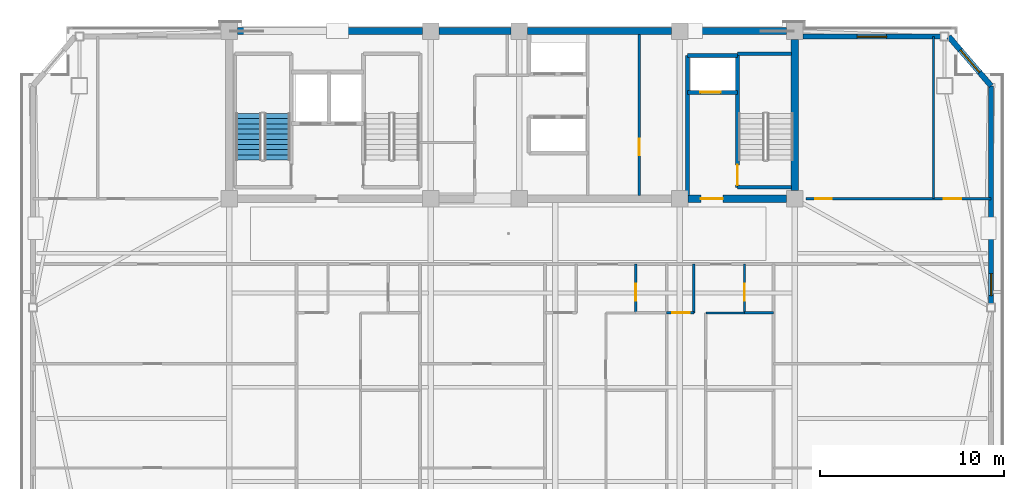
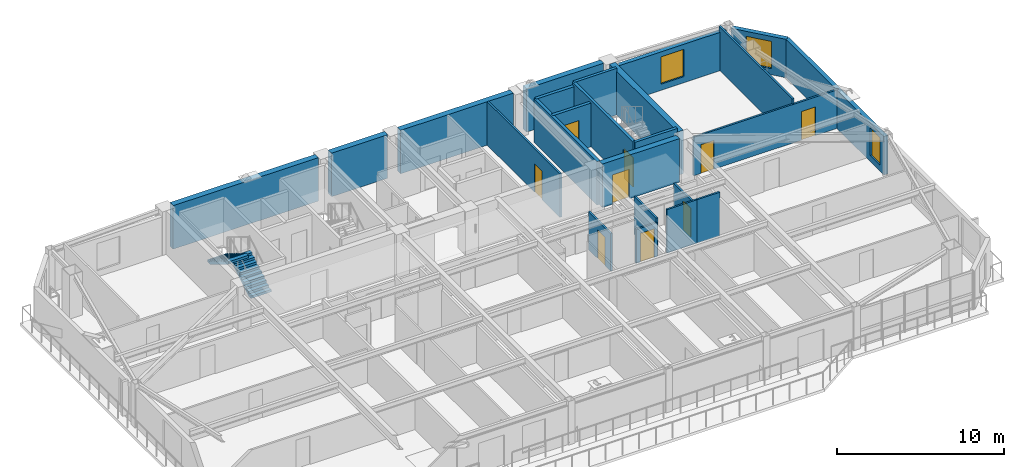
# One storey, part 11 of 17: 24 walls, 9 doors, 3 windows, 2 stair flights, 12 openings, 1 element without a shape of its own.
"""IFC4 building model written with IfcOpenShell, lengths in metres."""

from ifc_helpers import new_model, si_unit, direction, frame, frame_2d, origin, place, context, subcontext, project, spatial, polyline, rectangle, outline, extrude, source, transform, mapped, material, layer, layer_set, type_object, element, fill, aggregate, save


model = new_model("IFC4")

# Units and contexts
model_context = context("Model", 3, precision=1e-05, world=origin(), true_north=direction((0.0, 1.0)))
body_context = subcontext(model_context, "Body", "Model", "MODEL_VIEW")
ifc_project = project(units=[si_unit("LENGTHUNIT", "METRE"), si_unit("AREAUNIT", "SQUARE_METRE"), si_unit("VOLUMEUNIT", "CUBIC_METRE"), si_unit("PLANEANGLEUNIT", "RADIAN"), si_unit("MASSUNIT", "GRAM", prefix="KILO")], contexts=[model_context])

# Site, building, storey
site_placement = place(None, origin())
site = spatial("IfcSite", under=ifc_project, at=site_placement, CompositionType="ELEMENT")
building_placement = place(site_placement, origin())
building = spatial("IfcBuilding", under=site, at=building_placement, Name="Giltprow Tower", CompositionType="ELEMENT")
storey_placement = place(building_placement, frame((0.0, 0.0, 268.89990234375)))
storey = spatial("IfcBuildingStorey", under=building, at=storey_placement, Name="L69", CompositionType="ELEMENT", Elevation=268.89990234375)

# Wall, opening, window
ifc_material_1 = material(Name="Precast concrete C40", Category="concrete")
ifc_layer_1 = layer(ifc_material_1, 0.300048828125, Name="Precast concrete C40")
ifc_layer_set_1 = layer_set([ifc_layer_1], Name="Precast concrete C40")
wall_type_1 = type_object("IfcWallType", Name="EW-NOTCH-CHAMFER-300", PredefinedType="SOLIDWALL", material=ifc_layer_set_1)
wall_1_placement = place(storey_placement, frame((61.20703125, 43.576904296875, 0.0), z_axis=(0.0, 0.0, 1.0), x_axis=(-0.651914250567, 0.758292694089, 0.0)))
wall_1 = element("IfcWall", 1, at=wall_1_placement, inside=storey, type_object=wall_type_1, Name="L69 Corner Notch Wall NE", PredefinedType="SOLIDWALL", context=body_context, shape_type="SweptSolid", body=[
    extrude(rectangle(XDim=3.525146484375, YDim=0.300048828125, at=frame_2d((1.7626953125, 0.0))), origin(), (0.0, 0.0, 1.0), 2.815185546875),
])
opening_1_placement = place(wall_1_placement, frame((0.962890625, 0.0, 0.449951171875)))
opening_1 = element("IfcOpeningElement", 2, at=opening_1_placement, cuts=wall_1, Name="Opening WN17", PredefinedType="OPENING", context=body_context, shape_type="SweptSolid", body=[
    extrude(rectangle(XDim=1.60009765625, YDim=2.0, at=frame_2d((0.800048828125, 1.0))), frame((0.0, 0.159912109375, 0.0), z_axis=(0.0, -1.0, 0.0), x_axis=(1.0, 0.0, 0.0)), (0.0, 0.0, 1.0), 0.320068359375),
])
ifc_material_2 = material(Name="Insulated glass", Category="glass")
window_type_1 = type_object("IfcWindowType", Name="WN-COR-1600x2000", PartitioningType="SINGLE_PANEL", PredefinedType="WINDOW", material=ifc_material_2)
shared_shape_1 = source(origin(), body_context, "Body", "SweptSolid", [
    extrude(rectangle(XDim=1.60009765625, YDim=2.0, at=frame_2d((0.800048828125, 1.0))), frame((0.0, 0.030029296875, 0.0), z_axis=(0.0, -1.0, 0.0), x_axis=(1.0, 0.0, 0.0)), (0.0, 0.0, 1.0), 0.06005859375),
])
window_1_placement = place(opening_1_placement, origin())
window_1 = element("IfcWindow", 3, at=window_1_placement, inside=storey, type_object=window_type_1, Name="L69 Corner Notch Window NE", OverallHeight=2.0, OverallWidth=1.60009765625, PartitioningType="SINGLE_PANEL", PredefinedType="WINDOW", context=body_context, shape_type="MappedRepresentation", body=[
    mapped(shared_shape_1, transform((0.0, 0.0, 0.0), x_axis=(1.0, 0.0, 0.0), y_axis=(0.0, 1.0, 0.0), z_axis=(0.0, 0.0, 1.0), scale=1.0)),
])
fill(opening_1, window_1)

ifc_layer_2 = layer(ifc_material_1, 0.280029296875, Name="Precast concrete C40")
ifc_layer_set_2 = layer_set([ifc_layer_2], Name="Precast concrete C40")
wall_type_2 = type_object("IfcWallType", Name="EW-TOW-BRONZE-280", PredefinedType="SOLIDWALL", material=ifc_layer_set_2)
wall_2_placement = place(storey_placement, frame((61.20703125, 31.762939453125, 0.0), z_axis=(0.0, 0.0, 1.0), x_axis=(0.0, 1.0, 0.0)))
wall_2 = element("IfcWall", 4, at=wall_2_placement, inside=storey, type_object=wall_type_2, Name="L69 E Wing Masonry Wall 2", PredefinedType="SOLIDWALL", context=body_context, shape_type="SweptSolid", body=[
    extrude(rectangle(XDim=11.81396484375, YDim=0.280029296875, at=frame_2d((5.906982421875, 0.0))), origin(), (0.0, 0.0, 1.0), 2.815185546875),
])
opening_2_placement = place(wall_2_placement, frame((0.426025390625, 0.0, 0.449951171875)))
opening_2 = element("IfcOpeningElement", 5, at=opening_2_placement, cuts=wall_2, Name="Opening WN11", PredefinedType="OPENING", context=body_context, shape_type="SweptSolid", body=[
    extrude(rectangle(XDim=1.199951171875, YDim=2.0, at=frame_2d((0.60009765625, 1.0))), frame((0.0, 0.14990234375, 0.0), z_axis=(0.0, -1.0, 0.0), x_axis=(1.0, 0.0, 0.0)), (0.0, 0.0, 1.0), 0.300048828125),
])
window_type_2 = type_object("IfcWindowType", Name="WN-LANCET-1200x2000", PartitioningType="SINGLE_PANEL", PredefinedType="WINDOW", material=ifc_material_2)
shared_shape_2 = source(origin(), body_context, "Body", "SweptSolid", [
    extrude(rectangle(XDim=1.199951171875, YDim=2.0, at=frame_2d((0.60009765625, 1.0))), frame((0.0, 0.030029296875, 0.0), z_axis=(0.0, -1.0, 0.0), x_axis=(1.0, 0.0, 0.0)), (0.0, 0.0, 1.0), 0.06005859375),
])
window_2_placement = place(opening_2_placement, origin())
window_2 = element("IfcWindow", 6, at=window_2_placement, inside=storey, type_object=window_type_2, Name="L69 E Wing Window 2-1", OverallHeight=2.0, OverallWidth=1.199951171875, PartitioningType="SINGLE_PANEL", PredefinedType="WINDOW", context=body_context, shape_type="MappedRepresentation", body=[
    mapped(shared_shape_2, transform((0.0, 0.0, 0.0), x_axis=(1.0, 0.0, 0.0), y_axis=(0.0, 1.0, 0.0), z_axis=(0.0, 0.0, 1.0), scale=1.0)),
])
fill(opening_2, window_2)

wall_3_placement = place(storey_placement, frame((51.0, 46.25, 0.0), z_axis=(0.0, 0.0, 1.0), x_axis=(1.0, 0.0, 0.0)))
wall_3 = element("IfcWall", 7, at=wall_3_placement, inside=storey, type_object=wall_type_2, Name="L69 North-East Wing Wall", PredefinedType="SOLIDWALL", context=body_context, shape_type="SweptSolid", body=[
    extrude(rectangle(XDim=7.458984375, YDim=0.280029296875, at=frame_2d((3.7294921875, 0.0))), origin(), (0.0, 0.0, 1.0), 2.815185546875),
])
opening_3_placement = place(wall_3_placement, frame((2.929931640625, 0.0, 0.449951171875)))
opening_3 = element("IfcOpeningElement", 8, at=opening_3_placement, cuts=wall_3, Name="Opening WN17", PredefinedType="OPENING", context=body_context, shape_type="SweptSolid", body=[
    extrude(rectangle(XDim=1.60009765625, YDim=2.0, at=frame_2d((0.800048828125, 1.0))), frame((0.0, 0.14990234375, 0.0), z_axis=(0.0, -1.0, 0.0), x_axis=(1.0, 0.0, 0.0)), (0.0, 0.0, 1.0), 0.300048828125),
])
window_3_placement = place(opening_3_placement, origin())
window_3 = element("IfcWindow", 9, at=window_3_placement, inside=storey, type_object=window_type_1, Name="L69 North-East Window", OverallHeight=2.0, OverallWidth=1.60009765625, PartitioningType="SINGLE_PANEL", PredefinedType="WINDOW", context=body_context, shape_type="MappedRepresentation", body=[
    mapped(shared_shape_1, transform((0.0, 0.0, 0.0), x_axis=(1.0, 0.0, 0.0), y_axis=(0.0, 1.0, 0.0), z_axis=(0.0, 0.0, 1.0), scale=1.0)),
])
fill(opening_3, window_3)

# Wall
ifc_material_3 = material(Name="Gypsum stud partition", Category="gypsum")
ifc_layer_3 = layer(ifc_material_3, 0.1201171875, Name="Gypsum stud partition")
ifc_layer_set_3 = layer_set([ifc_layer_3], Name="Gypsum stud partition")
wall_type_3 = type_object("IfcWallType", Name="IW-ROOM-120", PredefinedType="PARTITIONING", material=ifc_layer_set_3)
wall_4_placement = place(storey_placement, frame((45.719970703125, 31.25, 0.0), z_axis=(0.0, 0.0, 1.0), x_axis=(1.0, 0.0, 0.0)))
element("IfcWall", 10, at=wall_4_placement, inside=storey, type_object=wall_type_3, Name="L69 Unit 3 Bedroom North Wall", PredefinedType="PARTITIONING", context=body_context, shape_type="SweptSolid", body=[
    extrude(rectangle(XDim=2.10009765625, YDim=0.1201171875, at=frame_2d((1.050048828125, 0.0))), origin(), (0.0, 0.0, 1.0), 3.18505859375),
])

# Wall, opening, door
ifc_material_4 = material(Name="Concrete C40", Category="concrete")
ifc_layer_4 = layer(ifc_material_4, 0.219970703125, Name="Concrete C40")
ifc_layer_set_4 = layer_set([ifc_layer_4], Name="Concrete C40")
wall_type_4 = type_object("IfcWallType", Name="IW-SHAFT-220", PredefinedType="SOLIDWALL", material=ifc_layer_set_4)
wall_5_placement = place(storey_placement, frame((44.719970703125, 43.219970703125, 0.0), z_axis=(0.0, 0.0, 1.0), x_axis=(1.0, 0.0, 0.0)))
wall_5 = element("IfcWall", 11, at=wall_5_placement, inside=storey, type_object=wall_type_4, Name="L69 FFL2 Front Shaft Wall", PredefinedType="SOLIDWALL", context=body_context, shape_type="SweptSolid", body=[
    extrude(rectangle(XDim=2.719970703125, YDim=0.219970703125, at=frame_2d((1.35986328125, 0.0))), origin(), (0.0, 0.0, 1.0), 3.18505859375),
])
opening_4_placement = place(wall_5_placement, frame((0.699951171875, 0.0, 0.0)))
opening_4 = element("IfcOpeningElement", 12, at=opening_4_placement, cuts=wall_5, Name="Opening LD-11", PredefinedType="OPENING", context=body_context, shape_type="SweptSolid", body=[
    extrude(rectangle(XDim=1.10009765625, YDim=2.199951171875, at=frame_2d((0.550048828125, 1.10009765625))), frame((0.0, 0.119873046875, 0.0), z_axis=(0.0, -1.0, 0.0), x_axis=(1.0, 0.0, 0.0)), (0.0, 0.0, 1.0), 0.239990234375),
])
ifc_material_5 = material(Name="Stainless steel", Category="steel")
door_type_1 = type_object("IfcDoorType", Name="DR-LIFT-LD1100", OperationType="SLIDING_TO_LEFT", PredefinedType="DOOR", material=ifc_material_5)
shared_shape_3 = source(origin(), body_context, "Body", "SweptSolid", [
    extrude(rectangle(XDim=1.10009765625, YDim=2.199951171875, at=frame_2d((0.550048828125, 1.10009765625))), frame((0.0, 0.02490234375, 0.0), z_axis=(0.0, -1.0, 0.0), x_axis=(1.0, 0.0, 0.0)), (0.0, 0.0, 1.0), 0.050048828125),
])
door_1_placement = place(opening_4_placement, origin())
door_1 = element("IfcDoor", 13, at=door_1_placement, inside=storey, type_object=door_type_1, Name="L69 FFL2 Landing Door", OperationType="SLIDING_TO_LEFT", OverallHeight=2.199951171875, OverallWidth=1.10009765625, PredefinedType="DOOR", context=body_context, shape_type="MappedRepresentation", body=[
    mapped(shared_shape_3, transform((0.0, 0.0, 0.0), x_axis=(1.0, 0.0, 0.0), y_axis=(0.0, 1.0, 0.0), z_axis=(0.0, 0.0, 1.0), scale=1.0)),
])
fill(opening_4, door_1)

# Walls
wall_6_placement = place(storey_placement, frame((44.719970703125, 45.219970703125, 0.0), z_axis=(0.0, 0.0, 1.0), x_axis=(1.0, 0.0, 0.0)))
element("IfcWall", 14, at=wall_6_placement, inside=storey, type_object=wall_type_4, Name="L69 FFL2 Back Shaft Wall", PredefinedType="SOLIDWALL", context=body_context, shape_type="SweptSolid", body=[
    extrude(rectangle(XDim=2.719970703125, YDim=0.219970703125, at=frame_2d((1.35986328125, 0.0))), origin(), (0.0, 0.0, 1.0), 3.18505859375),
])
wall_7_placement = place(storey_placement, frame((44.719970703125, 37.6298828125, 0.0), z_axis=(0.0, 0.0, 1.0), x_axis=(0.0, 1.0, 0.0)))
element("IfcWall", 15, at=wall_7_placement, inside=storey, type_object=wall_type_4, Name="L69 East Firefighting Lobby West Wall", PredefinedType="SOLIDWALL", context=body_context, shape_type="SweptSolid", body=[
    extrude(rectangle(XDim=7.590087890625, YDim=0.219970703125, at=frame_2d((3.794921875, 0.0))), origin(), (0.0, 0.0, 1.0), 3.18505859375),
])

# Wall, opening, door
ifc_layer_5 = layer(ifc_material_4, 0.199951171875, Name="Concrete C40")
ifc_layer_set_5 = layer_set([ifc_layer_5], Name="Concrete C40")
wall_type_5 = type_object("IfcWallType", Name="IW-STAIR-200", PredefinedType="SOLIDWALL", material=ifc_layer_set_5)
wall_8_placement = place(storey_placement, frame((47.43994140625, 38.070068359375, 0.0), z_axis=(0.0, 0.0, 1.0), x_axis=(0.0, 1.0, 0.0)))
wall_8 = element("IfcWall", 16, at=wall_8_placement, inside=storey, type_object=wall_type_5, Name="L69 Stair ST-3 West Bearing Wall", PredefinedType="SOLIDWALL", context=body_context, shape_type="SweptSolid", body=[
    extrude(rectangle(XDim=7.25, YDim=0.199951171875, at=frame_2d((3.625, 0.0))), origin(), (0.0, 0.0, 1.0), 3.400146484375),
])
opening_5_placement = place(wall_8_placement, frame((0.110107421875, 0.0, 0.0)))
opening_5 = element("IfcOpeningElement", 17, at=opening_5_placement, cuts=wall_8, Name="Opening ID33", PredefinedType="OPENING", context=body_context, shape_type="SweptSolid", body=[
    extrude(rectangle(XDim=1.10009765625, YDim=2.14990234375, at=frame_2d((0.550048828125, 1.074951171875))), frame((0.0, 0.10986328125, 0.0), z_axis=(0.0, -1.0, 0.0), x_axis=(1.0, 0.0, 0.0)), (0.0, 0.0, 1.0), 0.219970703125),
])
ifc_material_6 = material(Name="Steel fire leaf", Category="steel")
door_type_2 = type_object("IfcDoorType", Name="DR-STAIR-1100", OperationType="SINGLE_SWING_LEFT", PredefinedType="DOOR", material=ifc_material_6)
shared_shape_4 = source(origin(), body_context, "Body", "SweptSolid", [
    extrude(rectangle(XDim=1.10009765625, YDim=2.14990234375, at=frame_2d((0.550048828125, 1.074951171875))), frame((0.0, 0.02490234375, 0.0), z_axis=(0.0, -1.0, 0.0), x_axis=(1.0, 0.0, 0.0)), (0.0, 0.0, 1.0), 0.050048828125),
])
door_2_placement = place(opening_5_placement, origin())
door_2 = element("IfcDoor", 18, at=door_2_placement, inside=storey, type_object=door_type_2, Name="L69 Stair ST-3 Fire Door", OperationType="SINGLE_SWING_RIGHT", OverallHeight=2.14990234375, OverallWidth=1.10009765625, PredefinedType="DOOR", context=body_context, shape_type="MappedRepresentation", body=[
    mapped(shared_shape_4, transform((0.0, 0.0, 0.0), x_axis=(1.0, 0.0, 0.0), y_axis=(0.0, 1.0, 0.0), z_axis=(0.0, 0.0, 1.0), scale=1.0)),
])
fill(opening_5, door_2)

# Walls
for number, where, z_axis, x_axis, name in (
    (19, (47.43994140625, 45.320068359375, 0.0), (0.0, 0.0, 1.0), (1.0, 0.0, 0.0), "L69 Stair ST-3 North Bearing Wall"),
    (20, (47.43994140625, 38.070068359375, 0.0), (0.0, 0.0, 1.0), (1.0, 0.0, 0.0), "L69 Stair ST-3 South Bearing Wall"),
):
    element("IfcWall", number, at=place(storey_placement, frame(where, z_axis=z_axis, x_axis=x_axis)), inside=storey, type_object=wall_type_5, Name=name, PredefinedType="SOLIDWALL", context=body_context, shape_type="SweptSolid", body=[
        extrude(rectangle(XDim=2.93017578125, YDim=0.199951171875, at=frame_2d((1.465087890625, 0.0))), origin(), (0.0, 0.0, 1.0), 3.400146484375),
    ])

# Wall, opening, door
ifc_material_7 = material(Name="Concrete C30", Category="concrete")
ifc_layer_6 = layer(ifc_material_7, 0.1298828125, Name="Concrete C30")
ifc_layer_set_6 = layer_set([ifc_layer_6], Name="Concrete C30")
wall_type_6 = type_object("IfcWallType", Name="IW-WET-130", PredefinedType="PARTITIONING", material=ifc_layer_set_6)
wall_9_placement = place(storey_placement, frame((42.10009765625, 37.6298828125, 0.0), z_axis=(0.0, 0.0, 1.0), x_axis=(0.0, 1.0, 0.0)))
wall_9 = element("IfcWall", 21, at=wall_9_placement, inside=storey, type_object=wall_type_6, Name="L69 East Core Vertical Divider", PredefinedType="PARTITIONING", context=body_context, shape_type="SweptSolid", body=[
    extrude(rectangle(XDim=8.740234375, YDim=0.1298828125, at=frame_2d((4.3701171875, 0.0))), origin(), (0.0, 0.0, 1.0), 3.18505859375),
])
opening_6_placement = place(wall_9_placement, frame((2.169921875, 0.0, 0.0)))
opening_6 = element("IfcOpeningElement", 22, at=opening_6_placement, cuts=wall_9, Name="Opening ID35", PredefinedType="OPENING", context=body_context, shape_type="SweptSolid", body=[
    extrude(rectangle(XDim=0.89990234375, YDim=2.10009765625, at=frame_2d((0.449951171875, 1.050048828125))), frame((0.0, 0.074951171875, 0.0), z_axis=(0.0, -1.0, 0.0), x_axis=(1.0, 0.0, 0.0)), (0.0, 0.0, 1.0), 0.14990234375),
])
door_type_3 = type_object("IfcDoorType", Name="DR-SHAFT-900", OperationType="SINGLE_SWING_LEFT", PredefinedType="DOOR", material=ifc_material_6)
shared_shape_5 = source(origin(), body_context, "Body", "SweptSolid", [
    extrude(rectangle(XDim=0.89990234375, YDim=2.10009765625, at=frame_2d((0.449951171875, 1.050048828125))), frame((0.0, 0.02490234375, 0.0), z_axis=(0.0, -1.0, 0.0), x_axis=(1.0, 0.0, 0.0)), (0.0, 0.0, 1.0), 0.050048828125),
])
door_3_placement = place(opening_6_placement, origin())
door_3 = element("IfcDoor", 23, at=door_3_placement, inside=storey, type_object=door_type_3, Name="L69 Core Wine Store Inner Door", OperationType="SINGLE_SWING_RIGHT", OverallHeight=2.10009765625, OverallWidth=0.89990234375, PredefinedType="DOOR", context=body_context, shape_type="MappedRepresentation", body=[
    mapped(shared_shape_5, transform((0.0, 0.0, 0.0), x_axis=(1.0, 0.0, 0.0), y_axis=(0.0, 1.0, 0.0), z_axis=(0.0, 0.0, 1.0), scale=1.0)),
])
fill(opening_6, door_3)

wall_10_placement = place(storey_placement, frame((41.909912109375, 31.25, 0.0), z_axis=(0.0, 0.0, 1.0), x_axis=(0.0, 1.0, 0.0)))
wall_10 = element("IfcWall", 24, at=wall_10_placement, inside=storey, type_object=wall_type_6, Name="L69 Unit 2 Bathroom West Wall", PredefinedType="PARTITIONING", context=body_context, shape_type="SweptSolid", body=[
    extrude(rectangle(XDim=2.64990234375, YDim=0.1298828125, at=frame_2d((1.324951171875, 0.0))), origin(), (0.0, 0.0, 1.0), 2.77001953125),
])
opening_7_placement = place(wall_10_placement, frame((0.669921875, 0.0, 0.0)))
opening_7 = element("IfcOpeningElement", 25, at=opening_7_placement, cuts=wall_10, Name="Opening ID15", PredefinedType="OPENING", context=body_context, shape_type="SweptSolid", body=[
    extrude(rectangle(XDim=0.89990234375, YDim=2.10009765625, at=frame_2d((0.449951171875, 1.050048828125))), frame((0.0, 0.074951171875, 0.0), z_axis=(0.0, -1.0, 0.0), x_axis=(1.0, 0.0, 0.0)), (0.0, 0.0, 1.0), 0.14990234375),
])
ifc_material_8 = material(Name="Engineered timber", Category="wood")
door_type_4 = type_object("IfcDoorType", Name="DR-WC-900", OperationType="SINGLE_SWING_LEFT", PredefinedType="DOOR", material=ifc_material_8)
door_4_placement = place(opening_7_placement, origin())
door_4 = element("IfcDoor", 26, at=door_4_placement, inside=storey, type_object=door_type_4, Name="L69 Unit 2 Bathroom Door", OperationType="SINGLE_SWING_RIGHT", OverallHeight=2.10009765625, OverallWidth=0.89990234375, PredefinedType="DOOR", context=body_context, shape_type="MappedRepresentation", body=[
    mapped(shared_shape_5, transform((0.0, 0.0, 0.0), x_axis=(1.0, 0.0, 0.0), y_axis=(0.0, 1.0, 0.0), z_axis=(0.0, 0.0, 1.0), scale=1.0)),
])
fill(opening_7, door_4)

wall_11_placement = place(storey_placement, frame((43.60009765625, 31.25, 0.0), z_axis=(0.0, 0.0, 1.0), x_axis=(1.0, 0.0, 0.0)))
wall_11 = element("IfcWall", 27, at=wall_11_placement, inside=storey, type_object=wall_type_6, Name="L69 Unit 3 Kitchen South Wall", PredefinedType="PARTITIONING", context=body_context, shape_type="SweptSolid", body=[
    extrude(rectangle(XDim=1.469970703125, YDim=0.1298828125, at=frame_2d((0.73486328125, 0.0))), origin(), (0.0, 0.0, 1.0), 2.47021484375),
])
opening_8_placement = place(wall_11_placement, frame((0.300048828125, 0.0, 0.0)))
opening_8 = element("IfcOpeningElement", 28, at=opening_8_placement, cuts=wall_11, Name="Opening ID11", PredefinedType="OPENING", context=body_context, shape_type="SweptSolid", body=[
    extrude(rectangle(XDim=0.949951171875, YDim=2.10009765625, at=frame_2d((0.47509765625, 1.050048828125))), frame((0.0, 0.074951171875, 0.0), z_axis=(0.0, -1.0, 0.0), x_axis=(1.0, 0.0, 0.0)), (0.0, 0.0, 1.0), 0.14990234375),
])
door_type_5 = type_object("IfcDoorType", Name="DR-ROOM-950", OperationType="SINGLE_SWING_RIGHT", PredefinedType="DOOR", material=ifc_material_8)
shared_shape_6 = source(origin(), body_context, "Body", "SweptSolid", [
    extrude(rectangle(XDim=0.949951171875, YDim=2.10009765625, at=frame_2d((0.47509765625, 1.050048828125))), frame((0.0, 0.02490234375, 0.0), z_axis=(0.0, -1.0, 0.0), x_axis=(1.0, 0.0, 0.0)), (0.0, 0.0, 1.0), 0.050048828125),
])
door_5_placement = place(opening_8_placement, origin())
door_5 = element("IfcDoor", 29, at=door_5_placement, inside=storey, type_object=door_type_5, Name="L69 Unit 3 Kitchen Door", OperationType="SINGLE_SWING_RIGHT", OverallHeight=2.10009765625, OverallWidth=0.949951171875, PredefinedType="DOOR", context=body_context, shape_type="MappedRepresentation", body=[
    mapped(shared_shape_6, transform((0.0, 0.0, 0.0), x_axis=(1.0, 0.0, 0.0), y_axis=(0.0, 1.0, 0.0), z_axis=(0.0, 0.0, 1.0), scale=1.0)),
])
fill(opening_8, door_5)

# Walls
wall_12_placement = place(storey_placement, frame((45.070068359375, 31.25, 0.0), z_axis=(0.0, 0.0, 1.0), x_axis=(0.0, 1.0, 0.0)))
element("IfcWall", 30, at=wall_12_placement, inside=storey, type_object=wall_type_6, Name="L69 Unit 3 Kitchen East Wall", PredefinedType="PARTITIONING", context=body_context, shape_type="SweptSolid", body=[
    extrude(rectangle(XDim=2.64990234375, YDim=0.1298828125, at=frame_2d((1.324951171875, 0.0))), origin(), (0.0, 0.0, 1.0), 2.77001953125),
])
wall_13_placement = place(storey_placement, frame((47.820068359375, 31.25, 0.0), z_axis=(0.0, 0.0, 1.0), x_axis=(1.0, 0.0, 0.0)))
element("IfcWall", 31, at=wall_13_placement, inside=storey, type_object=wall_type_6, Name="L69 Unit 3 Bathroom South Wall", PredefinedType="PARTITIONING", context=body_context, shape_type="SweptSolid", body=[
    extrude(rectangle(XDim=1.579833984375, YDim=0.1298828125, at=frame_2d((0.7900390625, 0.0))), origin(), (0.0, 0.0, 1.0), 3.18505859375),
])

# Wall, opening, door
wall_14_placement = place(storey_placement, frame((47.820068359375, 31.25, 0.0), z_axis=(0.0, 0.0, 1.0), x_axis=(0.0, 1.0, 0.0)))
wall_14 = element("IfcWall", 32, at=wall_14_placement, inside=storey, type_object=wall_type_6, Name="L69 Unit 3 Bathroom West Wall", PredefinedType="PARTITIONING", context=body_context, shape_type="SweptSolid", body=[
    extrude(rectangle(XDim=2.64990234375, YDim=0.1298828125, at=frame_2d((1.324951171875, 0.0))), origin(), (0.0, 0.0, 1.0), 2.77001953125),
])
opening_9_placement = place(wall_14_placement, frame((0.669921875, 0.0, 0.0)))
opening_9 = element("IfcOpeningElement", 33, at=opening_9_placement, cuts=wall_14, Name="Opening ID15", PredefinedType="OPENING", context=body_context, shape_type="SweptSolid", body=[
    extrude(rectangle(XDim=0.89990234375, YDim=2.10009765625, at=frame_2d((0.449951171875, 1.050048828125))), frame((0.0, 0.074951171875, 0.0), z_axis=(0.0, -1.0, 0.0), x_axis=(1.0, 0.0, 0.0)), (0.0, 0.0, 1.0), 0.14990234375),
])
door_6_placement = place(opening_9_placement, origin())
door_6 = element("IfcDoor", 34, at=door_6_placement, inside=storey, type_object=door_type_4, Name="L69 Unit 3 Bathroom Door", OperationType="SINGLE_SWING_LEFT", OverallHeight=2.10009765625, OverallWidth=0.89990234375, PredefinedType="DOOR", context=body_context, shape_type="MappedRepresentation", body=[
    mapped(shared_shape_5, transform((0.0, 0.0, 0.0), x_axis=(1.0, 0.0, 0.0), y_axis=(0.0, 1.0, 0.0), z_axis=(0.0, 0.0, 1.0), scale=1.0)),
])
fill(opening_9, door_6)

# Wall, openings, doors
wall_15_placement = place(storey_placement, frame((51.14990234375, 37.449951171875, 0.0), z_axis=(0.0, 0.0, 1.0), x_axis=(1.0, 0.0, 0.0)))
wall_15 = element("IfcWall", 35, at=wall_15_placement, inside=storey, type_object=wall_type_6, Name="L69 NE Wing South Wall", PredefinedType="PARTITIONING", context=body_context, shape_type="SweptSolid", body=[
    extrude(rectangle(XDim=10.05712890625, YDim=0.1298828125, at=frame_2d((5.028564453125, 0.0))), origin(), (0.0, 0.0, 1.0), 2.820068359375),
])
opening_10_placement = place(wall_15_placement, frame((0.5, 0.0, 0.0)))
opening_10 = element("IfcOpeningElement", 36, at=opening_10_placement, cuts=wall_15, Name="Opening ID15", PredefinedType="OPENING", context=body_context, shape_type="SweptSolid", body=[
    extrude(rectangle(XDim=0.89990234375, YDim=2.10009765625, at=frame_2d((0.449951171875, 1.050048828125))), frame((0.0, 0.074951171875, 0.0), z_axis=(0.0, -1.0, 0.0), x_axis=(1.0, 0.0, 0.0)), (0.0, 0.0, 1.0), 0.14990234375),
])
opening_11_placement = place(wall_15_placement, frame((7.47998046875, 0.0, 0.0)))
opening_11 = element("IfcOpeningElement", 37, at=opening_11_placement, cuts=wall_15, Name="Opening ID11", PredefinedType="OPENING", context=body_context, shape_type="SweptSolid", body=[
    extrude(rectangle(XDim=0.949951171875, YDim=2.10009765625, at=frame_2d((0.47509765625, 1.050048828125))), frame((0.0, 0.074951171875, 0.0), z_axis=(0.0, -1.0, 0.0), x_axis=(1.0, 0.0, 0.0)), (0.0, 0.0, 1.0), 0.14990234375),
])
door_7_placement = place(opening_10_placement, origin())
door_7 = element("IfcDoor", 38, at=door_7_placement, inside=storey, type_object=door_type_4, Name="L69 East Wing Washroom Door", OperationType="SINGLE_SWING_RIGHT", OverallHeight=2.10009765625, OverallWidth=0.89990234375, PredefinedType="DOOR", context=body_context, shape_type="MappedRepresentation", body=[
    mapped(shared_shape_5, transform((0.0, 0.0, 0.0), x_axis=(1.0, 0.0, 0.0), y_axis=(0.0, 1.0, 0.0), z_axis=(0.0, 0.0, 1.0), scale=1.0)),
])
fill(opening_10, door_7)
door_8_placement = place(opening_11_placement, origin())
door_8 = element("IfcDoor", 39, at=door_8_placement, inside=storey, type_object=door_type_5, Name="L69 Residents Reading Lounge Door", OperationType="SINGLE_SWING_RIGHT", OverallHeight=2.10009765625, OverallWidth=0.949951171875, PredefinedType="DOOR", context=body_context, shape_type="MappedRepresentation", body=[
    mapped(shared_shape_6, transform((0.0, 0.0, 0.0), x_axis=(1.0, 0.0, 0.0), y_axis=(0.0, 1.0, 0.0), z_axis=(0.0, 0.0, 1.0), scale=1.0)),
])
fill(opening_11, door_8)

# Walls
wall_16_placement = place(storey_placement, frame((58.080078125, 37.449951171875, 0.0), z_axis=(0.0, 0.0, 1.0), x_axis=(0.0, 1.0, 0.0)))
element("IfcWall", 40, at=wall_16_placement, inside=storey, type_object=wall_type_6, Name="L69 NE Wing Divider", PredefinedType="PARTITIONING", context=body_context, shape_type="SweptSolid", body=[
    extrude(rectangle(XDim=8.800048828125, YDim=0.1298828125, at=frame_2d((4.39990234375, 0.0))), origin(), (0.0, 0.0, 1.0), 3.18505859375),
])
ifc_material_9 = material(Name="Concrete C45", Category="concrete")
ifc_layer_7 = layer(ifc_material_9, 0.39990234375, Name="Concrete C45")
ifc_layer_set_7 = layer_set([ifc_layer_7], Name="Concrete C45")
wall_type_7 = type_object("IfcWallType", Name="SW-EXT-400-C45", PredefinedType="SHEAR", material=ifc_layer_set_7)
wall_17_placement = place(storey_placement, frame((20.300048828125, 46.550048828125, 0.0), z_axis=(0.0, 0.0, 1.0), x_axis=(1.0, 0.0, 0.0)))
element("IfcWall", 41, at=wall_17_placement, inside=storey, type_object=wall_type_7, Name="L69 North Rear Core Shear Wall 1", PredefinedType="SHEAR", context=body_context, shape_type="SweptSolid", body=[
    extrude(rectangle(XDim=10.050048828125, YDim=0.39990234375, at=frame_2d((5.02490234375, 0.0))), origin(), (0.0, 0.0, 1.0), 3.18505859375),
])
wall_18_placement = place(storey_placement, frame((31.25, 46.550048828125, 0.0), z_axis=(0.0, 0.0, 1.0), x_axis=(1.0, 0.0, 0.0)))
element("IfcWall", 42, at=wall_18_placement, inside=storey, type_object=wall_type_7, Name="L69 North Rear Core Shear Wall 2", PredefinedType="SHEAR", context=body_context, shape_type="SweptSolid", body=[
    extrude(rectangle(XDim=3.89990234375, YDim=0.39990234375, at=frame_2d((1.949951171875, 0.0))), origin(), (0.0, 0.0, 1.0), 3.18505859375),
])
wall_19_placement = place(storey_placement, frame((36.050048828125, 46.550048828125, 0.0), z_axis=(0.0, 0.0, 1.0), x_axis=(1.0, 0.0, 0.0)))
element("IfcWall", 43, at=wall_19_placement, inside=storey, type_object=wall_type_7, Name="L69 North Rear Core Shear Wall 3", PredefinedType="SHEAR", context=body_context, shape_type="SweptSolid", body=[
    extrude(rectangle(XDim=7.800048828125, YDim=0.39990234375, at=frame_2d((3.89990234375, 0.0))), origin(), (0.0, 0.0, 1.0), 3.18505859375),
])
wall_20_placement = place(storey_placement, frame((44.75, 46.550048828125, 0.0), z_axis=(0.0, 0.0, 1.0), x_axis=(1.0, 0.0, 0.0)))
element("IfcWall", 44, at=wall_20_placement, inside=storey, type_object=wall_type_7, Name="L69 North Rear Core Shear Wall 4", PredefinedType="SHEAR", context=body_context, shape_type="SweptSolid", body=[
    extrude(rectangle(XDim=5.35009765625, YDim=0.39990234375, at=frame_2d((2.675048828125, 0.0))), origin(), (0.0, 0.0, 1.0), 3.18505859375),
])

# Wall, opening, door
ifc_layer_8 = layer(ifc_material_9, 0.39990234375, Name="Concrete C45")
ifc_layer_set_8 = layer_set([ifc_layer_8], Name="Concrete C45")
wall_type_8 = type_object("IfcWallType", Name="SW-INT-400-C45", PredefinedType="SHEAR", material=ifc_layer_set_8)
wall_21_placement = place(storey_placement, frame((44.75, 37.449951171875, 0.0), z_axis=(0.0, 0.0, 1.0), x_axis=(1.0, 0.0, 0.0)))
wall_21 = element("IfcWall", 45, at=wall_21_placement, inside=storey, type_object=wall_type_8, Name="L69 South Rear Core Shear Wall East", PredefinedType="SHEAR", context=body_context, shape_type="SweptSolid", body=[
    extrude(rectangle(XDim=5.35009765625, YDim=0.39990234375, at=frame_2d((2.675048828125, 0.0))), origin(), (0.0, 0.0, 1.0), 3.18505859375),
])
opening_12_placement = place(wall_21_placement, frame((0.699951171875, 0.0, 0.0)))
opening_12 = element("IfcOpeningElement", 46, at=opening_12_placement, cuts=wall_21, Name="Opening ID19", PredefinedType="OPENING", context=body_context, shape_type="SweptSolid", body=[
    extrude(rectangle(XDim=1.199951171875, YDim=2.14990234375, at=frame_2d((0.60009765625, 1.074951171875))), frame((0.0, 0.2099609375, 0.0), z_axis=(0.0, -1.0, 0.0), x_axis=(1.0, 0.0, 0.0)), (0.0, 0.0, 1.0), 0.419921875),
])
door_type_6 = type_object("IfcDoorType", Name="DR-FFLOBBY-1200", OperationType="SINGLE_SWING_RIGHT", PredefinedType="DOOR", material=ifc_material_6)
shared_shape_7 = source(origin(), body_context, "Body", "SweptSolid", [
    extrude(rectangle(XDim=1.199951171875, YDim=2.14990234375, at=frame_2d((0.60009765625, 1.074951171875))), frame((0.0, 0.02490234375, 0.0), z_axis=(0.0, -1.0, 0.0), x_axis=(1.0, 0.0, 0.0)), (0.0, 0.0, 1.0), 0.050048828125),
])
door_9_placement = place(opening_12_placement, origin())
door_9 = element("IfcDoor", 47, at=door_9_placement, inside=storey, type_object=door_type_6, Name="L69 East Firefighting Lobby Entry Door", OperationType="SINGLE_SWING_RIGHT", OverallHeight=2.14990234375, OverallWidth=1.199951171875, PredefinedType="DOOR", context=body_context, shape_type="MappedRepresentation", body=[
    mapped(shared_shape_7, transform((0.0, 0.0, 0.0), x_axis=(1.0, 0.0, 0.0), y_axis=(0.0, 1.0, 0.0), z_axis=(0.0, 0.0, 1.0), scale=1.0)),
])
fill(opening_12, door_9)

# Wall
wall_22_placement = place(storey_placement, frame((50.550048828125, 37.89990234375, 0.0), z_axis=(0.0, 0.0, 1.0), x_axis=(0.0, 1.0, 0.0)))
element("IfcWall", 48, at=wall_22_placement, inside=storey, type_object=wall_type_8, Name="L69 E Rear Core Shear Wall", PredefinedType="SHEAR", context=body_context, shape_type="SweptSolid", body=[
    extrude(rectangle(XDim=8.2001953125, YDim=0.39990234375, at=frame_2d((4.10009765625, 0.0))), origin(), (0.0, 0.0, 1.0), 3.18505859375),
])

# Stair, stair flights
stair_type = type_object("IfcStairType", Name="STR-ST-1", PredefinedType="HALF_TURN_STAIR", material=ifc_material_4)
stair_placement = place(storey_placement, origin())
stair = element("IfcStair", 49, at=stair_placement, inside=storey, type_object=stair_type, Name="L69 Core Exit Stair ST-1", PredefinedType="HALF_TURN_STAIR")
stair_flight_type = type_object("IfcStairFlightType", Name="SFL-ST-1", PredefinedType="STRAIGHT", material=ifc_material_4)
stair_flight_1_placement = place(storey_placement, frame((22.4599609375, 39.550048828125, 0.0), z_axis=(0.0, 0.0, 1.0), x_axis=(0.0, 1.0, 0.0)))
stair_flight_1 = element("IfcStairFlight", 50, at=stair_flight_1_placement, type_object=stair_flight_type, Name="ST-1 flight 1", NumberOfRisers=10, NumberOfTreads=9, PredefinedType="STRAIGHT", RiserHeight=0.17, TreadLength=0.28, context=body_context, shape_type="SweptSolid", body=[
    extrude(outline(polyline([(0.0, 0.0), (0.0, 0.169921875), (0.280029296875, 0.169921875), (0.280029296875, 0.340087890625), (0.56005859375, 0.340087890625), (0.56005859375, 0.510009765625), (0.840087890625, 0.510009765625), (0.840087890625, 0.679931640625), (1.1201171875, 0.679931640625), (1.1201171875, 0.85009765625), (1.39990234375, 0.85009765625), (1.39990234375, 1.02001953125), (1.679931640625, 1.02001953125), (1.679931640625, 1.18994140625), (1.9599609375, 1.18994140625), (1.9599609375, 1.360107421875), (2.239990234375, 1.360107421875), (2.239990234375, 1.530029296875), (2.52001953125, 1.530029296875), (2.52001953125, 1.699951171875), (2.52001953125, 1.354736328125), (0.288818359375, 0.0), (0.0, 0.0)])), frame((0.0, 0.699951171875, 0.0), z_axis=(0.0, -1.0, 0.0), x_axis=(1.0, 0.0, 0.0)), (0.0, 0.0, 1.0), 1.39990234375),
])
stair_flight_2_placement = place(storey_placement, frame((20.89990234375, 42.070068359375, 1.7001953125), z_axis=(0.0, 0.0, 1.0), x_axis=(0.0, -1.0, 0.0)))
stair_flight_2 = element("IfcStairFlight", 51, at=stair_flight_2_placement, type_object=stair_flight_type, Name="ST-1 flight 2", NumberOfRisers=10, NumberOfTreads=9, PredefinedType="STRAIGHT", RiserHeight=0.17, TreadLength=0.28, context=body_context, shape_type="SweptSolid", body=[
    extrude(outline(polyline([(0.0, 0.0), (0.0, 0.169921875), (0.280029296875, 0.169921875), (0.280029296875, 0.340087890625), (0.56005859375, 0.340087890625), (0.56005859375, 0.510009765625), (0.840087890625, 0.510009765625), (0.840087890625, 0.679931640625), (1.1201171875, 0.679931640625), (1.1201171875, 0.85009765625), (1.39990234375, 0.85009765625), (1.39990234375, 1.02001953125), (1.679931640625, 1.02001953125), (1.679931640625, 1.18994140625), (1.9599609375, 1.18994140625), (1.9599609375, 1.360107421875), (2.239990234375, 1.360107421875), (2.239990234375, 1.530029296875), (2.52001953125, 1.530029296875), (2.52001953125, 1.699951171875), (2.52001953125, 1.354736328125), (0.288818359375, 0.0), (0.0, 0.0)])), frame((0.0, 0.699951171875, 0.0), z_axis=(0.0, -1.0, 0.0), x_axis=(1.0, 0.0, 0.0)), (0.0, 0.0, 1.0), 1.39990234375),
])
aggregate(stair, [stair_flight_1, stair_flight_2])

save(model, "model.ifc")
